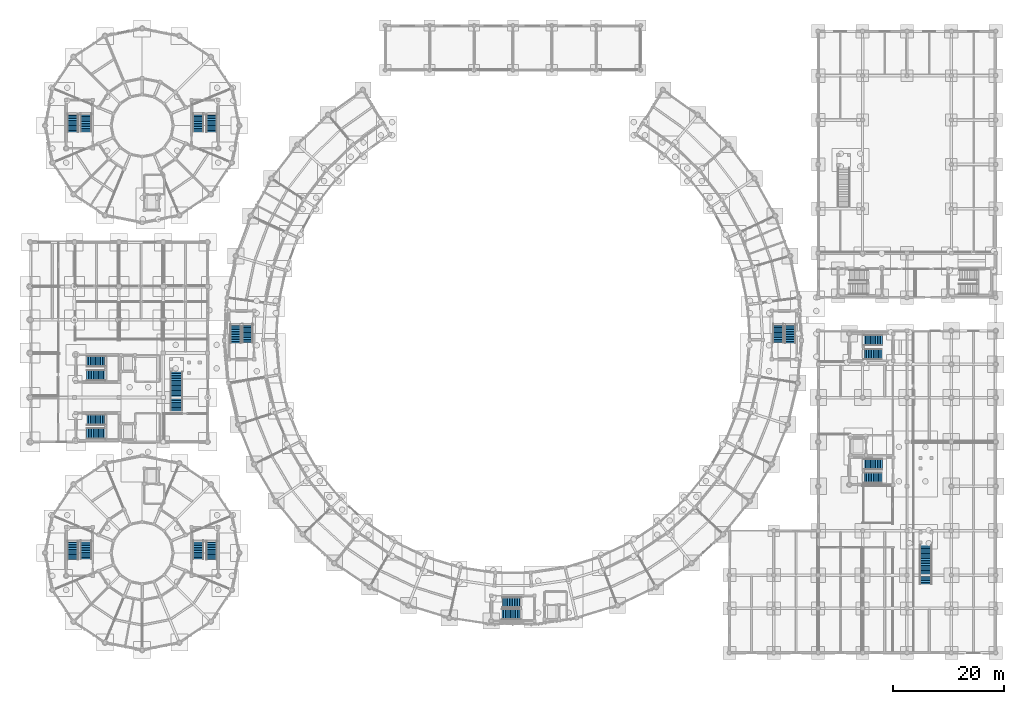
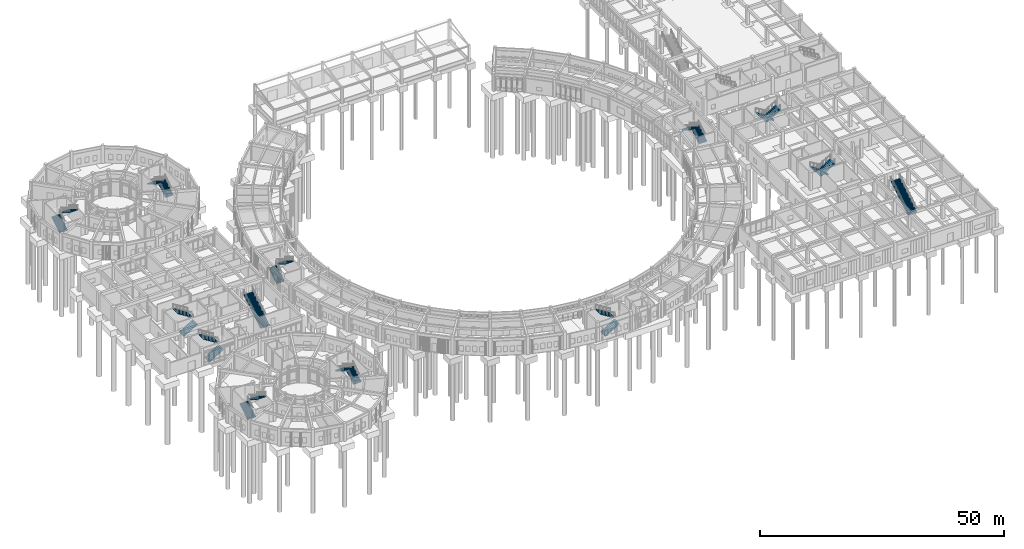
# One storey, part 137 of 153: 24 stair flights, 13 elements without a shape of their own.
"""IFC4 building model written with IfcOpenShell, lengths in metres."""

from ifc_helpers import new_model, si_unit, direction, frame, origin, place, context, subcontext, project, spatial, polyline, outline, extrude, material, type_object, element, aggregate, save


model = new_model("IFC4")

# Units and contexts
model_context = context("Model", 3, precision=1e-05, world=origin(), true_north=direction((0.0, 1.0)))
body_context = subcontext(model_context, "Body", "Model", "MODEL_VIEW")
ifc_project = project(units=[si_unit("LENGTHUNIT", "METRE"), si_unit("AREAUNIT", "SQUARE_METRE"), si_unit("VOLUMEUNIT", "CUBIC_METRE"), si_unit("PLANEANGLEUNIT", "RADIAN"), si_unit("MASSUNIT", "GRAM", prefix="KILO")], contexts=[model_context])

# Site, building, storey
site_placement = place(None, origin())
site = spatial("IfcSite", under=ifc_project, at=site_placement, CompositionType="ELEMENT")
building_placement = place(site_placement, origin())
building = spatial("IfcBuilding", under=site, at=building_placement, Name="Celadon Cloister-Ring School", CompositionType="ELEMENT")
storey_placement = place(building_placement, origin())
storey = spatial("IfcBuildingStorey", under=building, at=storey_placement, Name="L00", CompositionType="ELEMENT", Elevation=0.0)

# Stair, stair flights
ifc_material_1 = material(Name="Concrete C35/45", Category="concrete")
stair_type_1 = type_object("IfcStairType", Name="ST-01", PredefinedType="HALF_TURN_STAIR", material=ifc_material_1)
stair_1_placement = place(storey_placement, origin())
stair_1 = element("IfcStair", 1, at=stair_1_placement, inside=storey, type_object=stair_type_1, Name="Exit Stair ST-V5A L00", PredefinedType="HALF_TURN_STAIR")
ifc_material_2 = material(Name="Concrete C35/45", Category="concrete")
stair_flight_type_1 = type_object("IfcStairFlightType", Name="SFL-01", PredefinedType="STRAIGHT", material=ifc_material_2)
stair_flight_1_placement = place(storey_placement, frame((10.18994140625, 41.52001953125, 0.0), z_axis=(0.0, 0.0, 1.0), x_axis=(1.0, 0.0, 0.0)))
stair_flight_1 = element("IfcStairFlight", 2, at=stair_flight_1_placement, type_object=stair_flight_type_1, Name="ST-01 flight 1", NumberOfRisers=12, NumberOfTreads=11, PredefinedType="STRAIGHT", RiserHeight=0.1875, TreadLength=0.305, context=body_context, shape_type="SweptSolid", body=[
    extrude(outline(polyline([(0.0, 0.0), (0.0, 0.1875), (0.304931640625, 0.1875), (0.304931640625, 0.375), (0.610107421875, 0.375), (0.610107421875, 0.5625), (0.9150390625, 0.5625), (0.9150390625, 0.75), (1.219970703125, 0.75), (1.219970703125, 0.9375), (1.52490234375, 0.9375), (1.52490234375, 1.125), (1.830078125, 1.125), (1.830078125, 1.3125), (2.135009765625, 1.3125), (2.135009765625, 1.5), (2.43994140625, 1.5), (2.43994140625, 1.6875), (2.7451171875, 1.6875), (2.7451171875, 1.875), (3.050048828125, 1.875), (3.050048828125, 2.0625), (3.35498046875, 2.0625), (3.35498046875, 2.25), (3.35498046875, 1.874755859375), (0.305419921875, 0.0), (0.0, 0.0)])), frame((0.0, 0.97998046875, 0.0), z_axis=(0.0, -1.0, 0.0), x_axis=(1.0, 0.0, 0.0)), (0.0, 0.0, 1.0), 1.9599609375),
])
stair_flight_2_placement = place(storey_placement, frame((13.625, 43.97998046875, 2.25), z_axis=(0.0, 0.0, 1.0), x_axis=(-1.0, 0.0, 0.0)))
stair_flight_2 = element("IfcStairFlight", 3, at=stair_flight_2_placement, type_object=stair_flight_type_1, Name="ST-01 flight 2", NumberOfRisers=12, NumberOfTreads=11, PredefinedType="STRAIGHT", RiserHeight=0.1875, TreadLength=0.305, context=body_context, shape_type="SweptSolid", body=[
    extrude(outline(polyline([(0.0, 0.0), (0.0, 0.1875), (0.304931640625, 0.1875), (0.304931640625, 0.375), (0.610107421875, 0.375), (0.610107421875, 0.5625), (0.9150390625, 0.5625), (0.9150390625, 0.75), (1.219970703125, 0.75), (1.219970703125, 0.9375), (1.52490234375, 0.9375), (1.52490234375, 1.125), (1.830078125, 1.125), (1.830078125, 1.3125), (2.135009765625, 1.3125), (2.135009765625, 1.5), (2.43994140625, 1.5), (2.43994140625, 1.6875), (2.7451171875, 1.6875), (2.7451171875, 1.875), (3.050048828125, 1.875), (3.050048828125, 2.0625), (3.35498046875, 2.0625), (3.35498046875, 2.25), (3.35498046875, 1.874755859375), (0.305419921875, 0.0), (0.0, 0.0)])), frame((0.0, 0.97998046875, 0.0), z_axis=(0.0, -1.0, 0.0), x_axis=(1.0, 0.0, 0.0)), (0.0, 0.0, 1.0), 1.9599609375),
])
aggregate(stair_1, [stair_flight_1, stair_flight_2])

stair_2_placement = place(storey_placement, origin())
stair_2 = element("IfcStair", 4, at=stair_2_placement, inside=storey, type_object=stair_type_1, Name="Exit Stair ST-V5L1 L00", PredefinedType="HALF_TURN_STAIR")
stair_flight_3_placement = place(storey_placement, frame((7.719970703125, 18.800048828125, 0.0), z_axis=(0.0, 0.0, 1.0), x_axis=(0.0, 1.0, 0.0)))
stair_flight_3 = element("IfcStairFlight", 5, at=stair_flight_3_placement, type_object=stair_flight_type_1, Name="ST-01 flight 1", NumberOfRisers=12, NumberOfTreads=11, PredefinedType="STRAIGHT", RiserHeight=0.1875, TreadLength=0.305, context=body_context, shape_type="SweptSolid", body=[
    extrude(outline(polyline([(0.0, 0.0), (0.0, 0.1875), (0.304931640625, 0.1875), (0.304931640625, 0.375), (0.610107421875, 0.375), (0.610107421875, 0.5625), (0.9150390625, 0.5625), (0.9150390625, 0.75), (1.219970703125, 0.75), (1.219970703125, 0.9375), (1.52490234375, 0.9375), (1.52490234375, 1.125), (1.830078125, 1.125), (1.830078125, 1.3125), (2.135009765625, 1.3125), (2.135009765625, 1.5), (2.43994140625, 1.5), (2.43994140625, 1.6875), (2.7451171875, 1.6875), (2.7451171875, 1.875), (3.050048828125, 1.875), (3.050048828125, 2.0625), (3.35498046875, 2.0625), (3.35498046875, 2.25), (3.35498046875, 1.874755859375), (0.305419921875, 0.0), (0.0, 0.0)])), frame((0.0, 0.97998046875, 0.0), z_axis=(0.0, -1.0, 0.0), x_axis=(1.0, 0.0, 0.0)), (0.0, 0.0, 1.0), 1.9599609375),
])
stair_flight_4_placement = place(storey_placement, frame((10.080078125, 22.235107421875, 2.25), z_axis=(0.0, 0.0, 1.0), x_axis=(0.0, -1.0, 0.0)))
stair_flight_4 = element("IfcStairFlight", 6, at=stair_flight_4_placement, type_object=stair_flight_type_1, Name="ST-01 flight 2", NumberOfRisers=12, NumberOfTreads=11, PredefinedType="STRAIGHT", RiserHeight=0.1875, TreadLength=0.305, context=body_context, shape_type="SweptSolid", body=[
    extrude(outline(polyline([(0.0, 0.0), (0.0, 0.1875), (0.304931640625, 0.1875), (0.304931640625, 0.375), (0.610107421875, 0.375), (0.610107421875, 0.5625), (0.9150390625, 0.5625), (0.9150390625, 0.75), (1.219970703125, 0.75), (1.219970703125, 0.9375), (1.52490234375, 0.9375), (1.52490234375, 1.125), (1.830078125, 1.125), (1.830078125, 1.3125), (2.135009765625, 1.3125), (2.135009765625, 1.5), (2.43994140625, 1.5), (2.43994140625, 1.6875), (2.7451171875, 1.6875), (2.7451171875, 1.875), (3.050048828125, 1.875), (3.050048828125, 2.0625), (3.35498046875, 2.0625), (3.35498046875, 2.25), (3.35498046875, 1.874755859375), (0.305419921875, 0.0), (0.0, 0.0)])), frame((0.0, 0.97998046875, 0.0), z_axis=(0.0, -1.0, 0.0), x_axis=(1.0, 0.0, 0.0)), (0.0, 0.0, 1.0), 1.9599609375),
])
aggregate(stair_2, [stair_flight_3, stair_flight_4])

stair_3_placement = place(storey_placement, origin())
stair_3 = element("IfcStair", 7, at=stair_3_placement, inside=storey, type_object=stair_type_1, Name="Exit Stair ST-V3A L00", PredefinedType="HALF_TURN_STAIR")
stair_flight_5_placement = place(storey_placement, frame((7.719970703125, 95.800048828125, 0.0), z_axis=(0.0, 0.0, 1.0), x_axis=(0.0, 1.0, 0.0)))
stair_flight_5 = element("IfcStairFlight", 8, at=stair_flight_5_placement, type_object=stair_flight_type_1, Name="ST-01 flight 1", NumberOfRisers=12, NumberOfTreads=11, PredefinedType="STRAIGHT", RiserHeight=0.1875, TreadLength=0.305, context=body_context, shape_type="SweptSolid", body=[
    extrude(outline(polyline([(0.0, 0.0), (0.0, 0.1875), (0.304931640625, 0.1875), (0.304931640625, 0.375), (0.610107421875, 0.375), (0.610107421875, 0.5625), (0.9150390625, 0.5625), (0.9150390625, 0.75), (1.219970703125, 0.75), (1.219970703125, 0.9375), (1.52490234375, 0.9375), (1.52490234375, 1.125), (1.830078125, 1.125), (1.830078125, 1.3125), (2.135009765625, 1.3125), (2.135009765625, 1.5), (2.43994140625, 1.5), (2.43994140625, 1.6875), (2.7451171875, 1.6875), (2.7451171875, 1.875), (3.050048828125, 1.875), (3.050048828125, 2.0625), (3.35498046875, 2.0625), (3.35498046875, 2.25), (3.35498046875, 1.874755859375), (0.305419921875, 0.0), (0.0, 0.0)])), frame((0.0, 0.97998046875, 0.0), z_axis=(0.0, -1.0, 0.0), x_axis=(1.0, 0.0, 0.0)), (0.0, 0.0, 1.0), 1.9599609375),
])
stair_flight_6_placement = place(storey_placement, frame((10.080078125, 99.235107421875, 2.25), z_axis=(0.0, 0.0, 1.0), x_axis=(0.0, -1.0, 0.0)))
stair_flight_6 = element("IfcStairFlight", 9, at=stair_flight_6_placement, type_object=stair_flight_type_1, Name="ST-01 flight 2", NumberOfRisers=12, NumberOfTreads=11, PredefinedType="STRAIGHT", RiserHeight=0.1875, TreadLength=0.305, context=body_context, shape_type="SweptSolid", body=[
    extrude(outline(polyline([(0.0, 0.0), (0.0, 0.1875), (0.304931640625, 0.1875), (0.304931640625, 0.375), (0.610107421875, 0.375), (0.610107421875, 0.5625), (0.9150390625, 0.5625), (0.9150390625, 0.75), (1.219970703125, 0.75), (1.219970703125, 0.9375), (1.52490234375, 0.9375), (1.52490234375, 1.125), (1.830078125, 1.125), (1.830078125, 1.3125), (2.135009765625, 1.3125), (2.135009765625, 1.5), (2.43994140625, 1.5), (2.43994140625, 1.6875), (2.7451171875, 1.6875), (2.7451171875, 1.875), (3.050048828125, 1.875), (3.050048828125, 2.0625), (3.35498046875, 2.0625), (3.35498046875, 2.25), (3.35498046875, 1.874755859375), (0.305419921875, 0.0), (0.0, 0.0)])), frame((0.0, 0.97998046875, 0.0), z_axis=(0.0, -1.0, 0.0), x_axis=(1.0, 0.0, 0.0)), (0.0, 0.0, 1.0), 1.9599609375),
])
aggregate(stair_3, [stair_flight_5, stair_flight_6])

stair_4_placement = place(storey_placement, origin())
stair_4 = element("IfcStair", 10, at=stair_4_placement, inside=storey, type_object=stair_type_1, Name="Exit Stair ST-V4A L00", PredefinedType="HALF_TURN_STAIR")
stair_flight_7_placement = place(storey_placement, frame((153.56005859375, 35.97998046875, 0.0), z_axis=(0.0, 0.0, 1.0), x_axis=(-1.0, 0.0, 0.0)))
stair_flight_7 = element("IfcStairFlight", 11, at=stair_flight_7_placement, type_object=stair_flight_type_1, Name="ST-01 flight 1", NumberOfRisers=12, NumberOfTreads=11, PredefinedType="STRAIGHT", RiserHeight=0.1875, TreadLength=0.305, context=body_context, shape_type="SweptSolid", body=[
    extrude(outline(polyline([(0.0, 0.0), (0.0, 0.1875), (0.304931640625, 0.1875), (0.304931640625, 0.375), (0.610107421875, 0.375), (0.610107421875, 0.5625), (0.9150390625, 0.5625), (0.9150390625, 0.75), (1.219970703125, 0.75), (1.219970703125, 0.9375), (1.52490234375, 0.9375), (1.52490234375, 1.125), (1.830078125, 1.125), (1.830078125, 1.3125), (2.135009765625, 1.3125), (2.135009765625, 1.5), (2.43994140625, 1.5), (2.43994140625, 1.6875), (2.7451171875, 1.6875), (2.7451171875, 1.875), (3.050048828125, 1.875), (3.050048828125, 2.0625), (3.35498046875, 2.0625), (3.35498046875, 2.25), (3.35498046875, 1.874755859375), (0.305419921875, 0.0), (0.0, 0.0)])), frame((0.0, 0.97998046875, 0.0), z_axis=(0.0, -1.0, 0.0), x_axis=(1.0, 0.0, 0.0)), (0.0, 0.0, 1.0), 1.9599609375),
])
stair_flight_8_placement = place(storey_placement, frame((150.125, 33.52001953125, 2.25), z_axis=(0.0, 0.0, 1.0), x_axis=(1.0, 0.0, 0.0)))
stair_flight_8 = element("IfcStairFlight", 12, at=stair_flight_8_placement, type_object=stair_flight_type_1, Name="ST-01 flight 2", NumberOfRisers=12, NumberOfTreads=11, PredefinedType="STRAIGHT", RiserHeight=0.1875, TreadLength=0.305, context=body_context, shape_type="SweptSolid", body=[
    extrude(outline(polyline([(0.0, 0.0), (0.0, 0.1875), (0.304931640625, 0.1875), (0.304931640625, 0.375), (0.610107421875, 0.375), (0.610107421875, 0.5625), (0.9150390625, 0.5625), (0.9150390625, 0.75), (1.219970703125, 0.75), (1.219970703125, 0.9375), (1.52490234375, 0.9375), (1.52490234375, 1.125), (1.830078125, 1.125), (1.830078125, 1.3125), (2.135009765625, 1.3125), (2.135009765625, 1.5), (2.43994140625, 1.5), (2.43994140625, 1.6875), (2.7451171875, 1.6875), (2.7451171875, 1.875), (3.050048828125, 1.875), (3.050048828125, 2.0625), (3.35498046875, 2.0625), (3.35498046875, 2.25), (3.35498046875, 1.874755859375), (0.305419921875, 0.0), (0.0, 0.0)])), frame((0.0, 0.97998046875, 0.0), z_axis=(0.0, -1.0, 0.0), x_axis=(1.0, 0.0, 0.0)), (0.0, 0.0, 1.0), 1.9599609375),
])
aggregate(stair_4, [stair_flight_7, stair_flight_8])

ifc_material_3 = material(Name="Concrete C35/45", Category="concrete")
stair_type_2 = type_object("IfcStairType", Name="ST-03", PredefinedType="HALF_TURN_STAIR", material=ifc_material_3)
stair_5_placement = place(storey_placement, origin())
stair_5 = element("IfcStair", 13, at=stair_5_placement, inside=storey, type_object=stair_type_2, Name="Exit Stair ST-V5B L00", PredefinedType="HALF_TURN_STAIR")
ifc_material_4 = material(Name="Concrete C35/45", Category="concrete")
stair_flight_type_2 = type_object("IfcStairFlightType", Name="SFL-02", PredefinedType="STRAIGHT", material=ifc_material_4)
stair_flight_9_placement = place(storey_placement, frame((10.18994140625, 51.989990234375, 0.0), z_axis=(0.0, 0.0, 1.0), x_axis=(1.0, 0.0, 0.0)))
stair_flight_9 = element("IfcStairFlight", 14, at=stair_flight_9_placement, type_object=stair_flight_type_2, Name="ST-03 flight 1", NumberOfRisers=12, NumberOfTreads=11, PredefinedType="STRAIGHT", RiserHeight=0.1875, TreadLength=0.305, context=body_context, shape_type="SweptSolid", body=[
    extrude(outline(polyline([(0.0, 0.0), (0.0, 0.1875), (0.304931640625, 0.1875), (0.304931640625, 0.375), (0.610107421875, 0.375), (0.610107421875, 0.5625), (0.9150390625, 0.5625), (0.9150390625, 0.75), (1.219970703125, 0.75), (1.219970703125, 0.9375), (1.52490234375, 0.9375), (1.52490234375, 1.125), (1.830078125, 1.125), (1.830078125, 1.3125), (2.135009765625, 1.3125), (2.135009765625, 1.5), (2.43994140625, 1.5), (2.43994140625, 1.6875), (2.7451171875, 1.6875), (2.7451171875, 1.875), (3.050048828125, 1.875), (3.050048828125, 2.0625), (3.35498046875, 2.0625), (3.35498046875, 2.25), (3.35498046875, 1.874755859375), (0.305419921875, 0.0), (0.0, 0.0)])), frame((0.0, 0.949951171875, 0.0), z_axis=(0.0, -1.0, 0.0), x_axis=(1.0, 0.0, 0.0)), (0.0, 0.0, 1.0), 1.89990234375),
])
stair_flight_10_placement = place(storey_placement, frame((13.625, 54.510009765625, 2.25), z_axis=(0.0, 0.0, 1.0), x_axis=(-1.0, 0.0, 0.0)))
stair_flight_10 = element("IfcStairFlight", 15, at=stair_flight_10_placement, type_object=stair_flight_type_2, Name="ST-03 flight 2", NumberOfRisers=12, NumberOfTreads=11, PredefinedType="STRAIGHT", RiserHeight=0.1875, TreadLength=0.305, context=body_context, shape_type="SweptSolid", body=[
    extrude(outline(polyline([(0.0, 0.0), (0.0, 0.1875), (0.304931640625, 0.1875), (0.304931640625, 0.375), (0.610107421875, 0.375), (0.610107421875, 0.5625), (0.9150390625, 0.5625), (0.9150390625, 0.75), (1.219970703125, 0.75), (1.219970703125, 0.9375), (1.52490234375, 0.9375), (1.52490234375, 1.125), (1.830078125, 1.125), (1.830078125, 1.3125), (2.135009765625, 1.3125), (2.135009765625, 1.5), (2.43994140625, 1.5), (2.43994140625, 1.6875), (2.7451171875, 1.6875), (2.7451171875, 1.875), (3.050048828125, 1.875), (3.050048828125, 2.0625), (3.35498046875, 2.0625), (3.35498046875, 2.25), (3.35498046875, 1.874755859375), (0.305419921875, 0.0), (0.0, 0.0)])), frame((0.0, 0.949951171875, 0.0), z_axis=(0.0, -1.0, 0.0), x_axis=(1.0, 0.0, 0.0)), (0.0, 0.0, 1.0), 1.89990234375),
])
aggregate(stair_5, [stair_flight_9, stair_flight_10])

stair_6_placement = place(storey_placement, origin())
stair_6 = element("IfcStair", 16, at=stair_6_placement, inside=storey, type_object=stair_type_2, Name="Exit Stair ST-V5L2 L00", PredefinedType="HALF_TURN_STAIR")
stair_flight_11_placement = place(storey_placement, frame((32.7099609375, 18.800048828125, 0.0), z_axis=(0.0, 0.0, 1.0), x_axis=(0.0, 1.0, 0.0)))
stair_flight_11 = element("IfcStairFlight", 17, at=stair_flight_11_placement, type_object=stair_flight_type_2, Name="ST-03 flight 1", NumberOfRisers=12, NumberOfTreads=11, PredefinedType="STRAIGHT", RiserHeight=0.1875, TreadLength=0.305, context=body_context, shape_type="SweptSolid", body=[
    extrude(outline(polyline([(0.0, 0.0), (0.0, 0.1875), (0.304931640625, 0.1875), (0.304931640625, 0.375), (0.610107421875, 0.375), (0.610107421875, 0.5625), (0.9150390625, 0.5625), (0.9150390625, 0.75), (1.219970703125, 0.75), (1.219970703125, 0.9375), (1.52490234375, 0.9375), (1.52490234375, 1.125), (1.830078125, 1.125), (1.830078125, 1.3125), (2.135009765625, 1.3125), (2.135009765625, 1.5), (2.43994140625, 1.5), (2.43994140625, 1.6875), (2.7451171875, 1.6875), (2.7451171875, 1.875), (3.050048828125, 1.875), (3.050048828125, 2.0625), (3.35498046875, 2.0625), (3.35498046875, 2.25), (3.35498046875, 1.874755859375), (0.305419921875, 0.0), (0.0, 0.0)])), frame((0.0, 0.949951171875, 0.0), z_axis=(0.0, -1.0, 0.0), x_axis=(1.0, 0.0, 0.0)), (0.0, 0.0, 1.0), 1.89990234375),
])
stair_flight_12_placement = place(storey_placement, frame((30.2900390625, 22.235107421875, 2.25), z_axis=(0.0, 0.0, 1.0), x_axis=(0.0, -1.0, 0.0)))
stair_flight_12 = element("IfcStairFlight", 18, at=stair_flight_12_placement, type_object=stair_flight_type_2, Name="ST-03 flight 2", NumberOfRisers=12, NumberOfTreads=11, PredefinedType="STRAIGHT", RiserHeight=0.1875, TreadLength=0.305, context=body_context, shape_type="SweptSolid", body=[
    extrude(outline(polyline([(0.0, 0.0), (0.0, 0.1875), (0.304931640625, 0.1875), (0.304931640625, 0.375), (0.610107421875, 0.375), (0.610107421875, 0.5625), (0.9150390625, 0.5625), (0.9150390625, 0.75), (1.219970703125, 0.75), (1.219970703125, 0.9375), (1.52490234375, 0.9375), (1.52490234375, 1.125), (1.830078125, 1.125), (1.830078125, 1.3125), (2.135009765625, 1.3125), (2.135009765625, 1.5), (2.43994140625, 1.5), (2.43994140625, 1.6875), (2.7451171875, 1.6875), (2.7451171875, 1.875), (3.050048828125, 1.875), (3.050048828125, 2.0625), (3.35498046875, 2.0625), (3.35498046875, 2.25), (3.35498046875, 1.874755859375), (0.305419921875, 0.0), (0.0, 0.0)])), frame((0.0, 0.949951171875, 0.0), z_axis=(0.0, -1.0, 0.0), x_axis=(1.0, 0.0, 0.0)), (0.0, 0.0, 1.0), 1.89990234375),
])
aggregate(stair_6, [stair_flight_11, stair_flight_12])

stair_7_placement = place(storey_placement, origin())
stair_7 = element("IfcStair", 19, at=stair_7_placement, inside=storey, type_object=stair_type_2, Name="Exit Stair ST-V3B L00", PredefinedType="HALF_TURN_STAIR")
stair_flight_13_placement = place(storey_placement, frame((32.7099609375, 95.800048828125, 0.0), z_axis=(0.0, 0.0, 1.0), x_axis=(0.0, 1.0, 0.0)))
stair_flight_13 = element("IfcStairFlight", 20, at=stair_flight_13_placement, type_object=stair_flight_type_2, Name="ST-03 flight 1", NumberOfRisers=12, NumberOfTreads=11, PredefinedType="STRAIGHT", RiserHeight=0.1875, TreadLength=0.305, context=body_context, shape_type="SweptSolid", body=[
    extrude(outline(polyline([(0.0, 0.0), (0.0, 0.1875), (0.304931640625, 0.1875), (0.304931640625, 0.375), (0.610107421875, 0.375), (0.610107421875, 0.5625), (0.9150390625, 0.5625), (0.9150390625, 0.75), (1.219970703125, 0.75), (1.219970703125, 0.9375), (1.52490234375, 0.9375), (1.52490234375, 1.125), (1.830078125, 1.125), (1.830078125, 1.3125), (2.135009765625, 1.3125), (2.135009765625, 1.5), (2.43994140625, 1.5), (2.43994140625, 1.6875), (2.7451171875, 1.6875), (2.7451171875, 1.875), (3.050048828125, 1.875), (3.050048828125, 2.0625), (3.35498046875, 2.0625), (3.35498046875, 2.25), (3.35498046875, 1.874755859375), (0.305419921875, 0.0), (0.0, 0.0)])), frame((0.0, 0.949951171875, 0.0), z_axis=(0.0, -1.0, 0.0), x_axis=(1.0, 0.0, 0.0)), (0.0, 0.0, 1.0), 1.89990234375),
])
stair_flight_14_placement = place(storey_placement, frame((30.2900390625, 99.235107421875, 2.25), z_axis=(0.0, 0.0, 1.0), x_axis=(0.0, -1.0, 0.0)))
stair_flight_14 = element("IfcStairFlight", 21, at=stair_flight_14_placement, type_object=stair_flight_type_2, Name="ST-03 flight 2", NumberOfRisers=12, NumberOfTreads=11, PredefinedType="STRAIGHT", RiserHeight=0.1875, TreadLength=0.305, context=body_context, shape_type="SweptSolid", body=[
    extrude(outline(polyline([(0.0, 0.0), (0.0, 0.1875), (0.304931640625, 0.1875), (0.304931640625, 0.375), (0.610107421875, 0.375), (0.610107421875, 0.5625), (0.9150390625, 0.5625), (0.9150390625, 0.75), (1.219970703125, 0.75), (1.219970703125, 0.9375), (1.52490234375, 0.9375), (1.52490234375, 1.125), (1.830078125, 1.125), (1.830078125, 1.3125), (2.135009765625, 1.3125), (2.135009765625, 1.5), (2.43994140625, 1.5), (2.43994140625, 1.6875), (2.7451171875, 1.6875), (2.7451171875, 1.875), (3.050048828125, 1.875), (3.050048828125, 2.0625), (3.35498046875, 2.0625), (3.35498046875, 2.25), (3.35498046875, 1.874755859375), (0.305419921875, 0.0), (0.0, 0.0)])), frame((0.0, 0.949951171875, 0.0), z_axis=(0.0, -1.0, 0.0), x_axis=(1.0, 0.0, 0.0)), (0.0, 0.0, 1.0), 1.89990234375),
])
aggregate(stair_7, [stair_flight_13, stair_flight_14])

stair_8_placement = place(storey_placement, origin())
stair_8 = element("IfcStair", 22, at=stair_8_placement, inside=storey, type_object=stair_type_2, Name="Exit Stair ST-V4B L00", PredefinedType="HALF_TURN_STAIR")
stair_flight_15_placement = place(storey_placement, frame((153.56005859375, 58.31005859375, 0.0), z_axis=(0.0, 0.0, 1.0), x_axis=(-1.0, 0.0, 0.0)))
stair_flight_15 = element("IfcStairFlight", 23, at=stair_flight_15_placement, type_object=stair_flight_type_2, Name="ST-03 flight 1", NumberOfRisers=12, NumberOfTreads=11, PredefinedType="STRAIGHT", RiserHeight=0.1875, TreadLength=0.305, context=body_context, shape_type="SweptSolid", body=[
    extrude(outline(polyline([(0.0, 0.0), (0.0, 0.1875), (0.304931640625, 0.1875), (0.304931640625, 0.375), (0.610107421875, 0.375), (0.610107421875, 0.5625), (0.9150390625, 0.5625), (0.9150390625, 0.75), (1.219970703125, 0.75), (1.219970703125, 0.9375), (1.52490234375, 0.9375), (1.52490234375, 1.125), (1.830078125, 1.125), (1.830078125, 1.3125), (2.135009765625, 1.3125), (2.135009765625, 1.5), (2.43994140625, 1.5), (2.43994140625, 1.6875), (2.7451171875, 1.6875), (2.7451171875, 1.875), (3.050048828125, 1.875), (3.050048828125, 2.0625), (3.35498046875, 2.0625), (3.35498046875, 2.25), (3.35498046875, 1.874755859375), (0.305419921875, 0.0), (0.0, 0.0)])), frame((0.0, 0.949951171875, 0.0), z_axis=(0.0, -1.0, 0.0), x_axis=(1.0, 0.0, 0.0)), (0.0, 0.0, 1.0), 1.89990234375),
])
stair_flight_16_placement = place(storey_placement, frame((150.125, 55.7900390625, 2.25), z_axis=(0.0, 0.0, 1.0), x_axis=(1.0, 0.0, 0.0)))
stair_flight_16 = element("IfcStairFlight", 24, at=stair_flight_16_placement, type_object=stair_flight_type_2, Name="ST-03 flight 2", NumberOfRisers=12, NumberOfTreads=11, PredefinedType="STRAIGHT", RiserHeight=0.1875, TreadLength=0.305, context=body_context, shape_type="SweptSolid", body=[
    extrude(outline(polyline([(0.0, 0.0), (0.0, 0.1875), (0.304931640625, 0.1875), (0.304931640625, 0.375), (0.610107421875, 0.375), (0.610107421875, 0.5625), (0.9150390625, 0.5625), (0.9150390625, 0.75), (1.219970703125, 0.75), (1.219970703125, 0.9375), (1.52490234375, 0.9375), (1.52490234375, 1.125), (1.830078125, 1.125), (1.830078125, 1.3125), (2.135009765625, 1.3125), (2.135009765625, 1.5), (2.43994140625, 1.5), (2.43994140625, 1.6875), (2.7451171875, 1.6875), (2.7451171875, 1.875), (3.050048828125, 1.875), (3.050048828125, 2.0625), (3.35498046875, 2.0625), (3.35498046875, 2.25), (3.35498046875, 1.874755859375), (0.305419921875, 0.0), (0.0, 0.0)])), frame((0.0, 0.949951171875, 0.0), z_axis=(0.0, -1.0, 0.0), x_axis=(1.0, 0.0, 0.0)), (0.0, 0.0, 1.0), 1.89990234375),
])
aggregate(stair_8, [stair_flight_15, stair_flight_16])

stair_9_placement = place(storey_placement, origin())
stair_9 = element("IfcStair", 25, at=stair_9_placement, inside=storey, type_object=stair_type_2, Name="Exit Stair ST-V1S L00", PredefinedType="HALF_TURN_STAIR")
stair_flight_17_placement = place(storey_placement, frame((85.0400390625, 8.93994140625, 0.0), z_axis=(0.0, 0.0, 1.0), x_axis=(1.0, 0.0, 0.0)))
stair_flight_17 = element("IfcStairFlight", 26, at=stair_flight_17_placement, type_object=stair_flight_type_2, Name="ST-03 flight 1", NumberOfRisers=12, NumberOfTreads=11, PredefinedType="STRAIGHT", RiserHeight=0.1875, TreadLength=0.305, context=body_context, shape_type="SweptSolid", body=[
    extrude(outline(polyline([(0.0, 0.0), (0.0, 0.1875), (0.304931640625, 0.1875), (0.304931640625, 0.375), (0.610107421875, 0.375), (0.610107421875, 0.5625), (0.9150390625, 0.5625), (0.9150390625, 0.75), (1.219970703125, 0.75), (1.219970703125, 0.9375), (1.52490234375, 0.9375), (1.52490234375, 1.125), (1.830078125, 1.125), (1.830078125, 1.3125), (2.135009765625, 1.3125), (2.135009765625, 1.5), (2.43994140625, 1.5), (2.43994140625, 1.6875), (2.7451171875, 1.6875), (2.7451171875, 1.875), (3.050048828125, 1.875), (3.050048828125, 2.0625), (3.35498046875, 2.0625), (3.35498046875, 2.25), (3.35498046875, 1.874755859375), (0.305419921875, 0.0), (0.0, 0.0)])), frame((0.0, 0.949951171875, 0.0), z_axis=(0.0, -1.0, 0.0), x_axis=(1.0, 0.0, 0.0)), (0.0, 0.0, 1.0), 1.89990234375),
])
stair_flight_18_placement = place(storey_placement, frame((88.47509765625, 11.080078125, 2.25), z_axis=(0.0, 0.0, 1.0), x_axis=(-1.0, 0.0, 0.0)))
stair_flight_18 = element("IfcStairFlight", 27, at=stair_flight_18_placement, type_object=stair_flight_type_2, Name="ST-03 flight 2", NumberOfRisers=12, NumberOfTreads=11, PredefinedType="STRAIGHT", RiserHeight=0.1875, TreadLength=0.305, context=body_context, shape_type="SweptSolid", body=[
    extrude(outline(polyline([(0.0, 0.0), (0.0, 0.1875), (0.304931640625, 0.1875), (0.304931640625, 0.375), (0.610107421875, 0.375), (0.610107421875, 0.5625), (0.9150390625, 0.5625), (0.9150390625, 0.75), (1.219970703125, 0.75), (1.219970703125, 0.9375), (1.52490234375, 0.9375), (1.52490234375, 1.125), (1.830078125, 1.125), (1.830078125, 1.3125), (2.135009765625, 1.3125), (2.135009765625, 1.5), (2.43994140625, 1.5), (2.43994140625, 1.6875), (2.7451171875, 1.6875), (2.7451171875, 1.875), (3.050048828125, 1.875), (3.050048828125, 2.0625), (3.35498046875, 2.0625), (3.35498046875, 2.25), (3.35498046875, 1.874755859375), (0.305419921875, 0.0), (0.0, 0.0)])), frame((0.0, 0.949951171875, 0.0), z_axis=(0.0, -1.0, 0.0), x_axis=(1.0, 0.0, 0.0)), (0.0, 0.0, 1.0), 1.89990234375),
])
aggregate(stair_9, [stair_flight_17, stair_flight_18])

stair_10_placement = place(storey_placement, origin())
stair_10 = element("IfcStair", 28, at=stair_10_placement, inside=storey, type_object=stair_type_2, Name="Exit Stair ST-V1W L00", PredefinedType="HALF_TURN_STAIR")
stair_flight_19_placement = place(storey_placement, frame((37.0400390625, 57.800048828125, 0.0), z_axis=(0.0, 0.0, 1.0), x_axis=(0.0, 1.0, 0.0)))
stair_flight_19 = element("IfcStairFlight", 29, at=stair_flight_19_placement, type_object=stair_flight_type_2, Name="ST-03 flight 1", NumberOfRisers=12, NumberOfTreads=11, PredefinedType="STRAIGHT", RiserHeight=0.1875, TreadLength=0.305, context=body_context, shape_type="SweptSolid", body=[
    extrude(outline(polyline([(0.0, 0.0), (0.0, 0.1875), (0.304931640625, 0.1875), (0.304931640625, 0.375), (0.610107421875, 0.375), (0.610107421875, 0.5625), (0.9150390625, 0.5625), (0.9150390625, 0.75), (1.219970703125, 0.75), (1.219970703125, 0.9375), (1.52490234375, 0.9375), (1.52490234375, 1.125), (1.830078125, 1.125), (1.830078125, 1.3125), (2.135009765625, 1.3125), (2.135009765625, 1.5), (2.43994140625, 1.5), (2.43994140625, 1.6875), (2.7451171875, 1.6875), (2.7451171875, 1.875), (3.050048828125, 1.875), (3.050048828125, 2.0625), (3.35498046875, 2.0625), (3.35498046875, 2.25), (3.35498046875, 1.874755859375), (0.305419921875, 0.0), (0.0, 0.0)])), frame((0.0, 0.949951171875, 0.0), z_axis=(0.0, -1.0, 0.0), x_axis=(1.0, 0.0, 0.0)), (0.0, 0.0, 1.0), 1.89990234375),
])
stair_flight_20_placement = place(storey_placement, frame((39.179931640625, 61.235107421875, 2.25), z_axis=(0.0, 0.0, 1.0), x_axis=(0.0, -1.0, 0.0)))
stair_flight_20 = element("IfcStairFlight", 30, at=stair_flight_20_placement, type_object=stair_flight_type_2, Name="ST-03 flight 2", NumberOfRisers=12, NumberOfTreads=11, PredefinedType="STRAIGHT", RiserHeight=0.1875, TreadLength=0.305, context=body_context, shape_type="SweptSolid", body=[
    extrude(outline(polyline([(0.0, 0.0), (0.0, 0.1875), (0.304931640625, 0.1875), (0.304931640625, 0.375), (0.610107421875, 0.375), (0.610107421875, 0.5625), (0.9150390625, 0.5625), (0.9150390625, 0.75), (1.219970703125, 0.75), (1.219970703125, 0.9375), (1.52490234375, 0.9375), (1.52490234375, 1.125), (1.830078125, 1.125), (1.830078125, 1.3125), (2.135009765625, 1.3125), (2.135009765625, 1.5), (2.43994140625, 1.5), (2.43994140625, 1.6875), (2.7451171875, 1.6875), (2.7451171875, 1.875), (3.050048828125, 1.875), (3.050048828125, 2.0625), (3.35498046875, 2.0625), (3.35498046875, 2.25), (3.35498046875, 1.874755859375), (0.305419921875, 0.0), (0.0, 0.0)])), frame((0.0, 0.949951171875, 0.0), z_axis=(0.0, -1.0, 0.0), x_axis=(1.0, 0.0, 0.0)), (0.0, 0.0, 1.0), 1.89990234375),
])
aggregate(stair_10, [stair_flight_19, stair_flight_20])

stair_11_placement = place(storey_placement, origin())
stair_11 = element("IfcStair", 31, at=stair_11_placement, inside=storey, type_object=stair_type_2, Name="Exit Stair ST-V1E L00", PredefinedType="HALF_TURN_STAIR")
stair_flight_21_placement = place(storey_placement, frame((136.9599609375, 57.800048828125, 0.0), z_axis=(0.0, 0.0, 1.0), x_axis=(0.0, 1.0, 0.0)))
stair_flight_21 = element("IfcStairFlight", 32, at=stair_flight_21_placement, type_object=stair_flight_type_2, Name="ST-03 flight 1", NumberOfRisers=12, NumberOfTreads=11, PredefinedType="STRAIGHT", RiserHeight=0.1875, TreadLength=0.305, context=body_context, shape_type="SweptSolid", body=[
    extrude(outline(polyline([(0.0, 0.0), (0.0, 0.1875), (0.304931640625, 0.1875), (0.304931640625, 0.375), (0.610107421875, 0.375), (0.610107421875, 0.5625), (0.9150390625, 0.5625), (0.9150390625, 0.75), (1.219970703125, 0.75), (1.219970703125, 0.9375), (1.52490234375, 0.9375), (1.52490234375, 1.125), (1.830078125, 1.125), (1.830078125, 1.3125), (2.135009765625, 1.3125), (2.135009765625, 1.5), (2.43994140625, 1.5), (2.43994140625, 1.6875), (2.7451171875, 1.6875), (2.7451171875, 1.875), (3.050048828125, 1.875), (3.050048828125, 2.0625), (3.35498046875, 2.0625), (3.35498046875, 2.25), (3.35498046875, 1.874755859375), (0.305419921875, 0.0), (0.0, 0.0)])), frame((0.0, 0.949951171875, 0.0), z_axis=(0.0, -1.0, 0.0), x_axis=(1.0, 0.0, 0.0)), (0.0, 0.0, 1.0), 1.89990234375),
])
stair_flight_22_placement = place(storey_placement, frame((134.820068359375, 61.235107421875, 2.25), z_axis=(0.0, 0.0, 1.0), x_axis=(0.0, -1.0, 0.0)))
stair_flight_22 = element("IfcStairFlight", 33, at=stair_flight_22_placement, type_object=stair_flight_type_2, Name="ST-03 flight 2", NumberOfRisers=12, NumberOfTreads=11, PredefinedType="STRAIGHT", RiserHeight=0.1875, TreadLength=0.305, context=body_context, shape_type="SweptSolid", body=[
    extrude(outline(polyline([(0.0, 0.0), (0.0, 0.1875), (0.304931640625, 0.1875), (0.304931640625, 0.375), (0.610107421875, 0.375), (0.610107421875, 0.5625), (0.9150390625, 0.5625), (0.9150390625, 0.75), (1.219970703125, 0.75), (1.219970703125, 0.9375), (1.52490234375, 0.9375), (1.52490234375, 1.125), (1.830078125, 1.125), (1.830078125, 1.3125), (2.135009765625, 1.3125), (2.135009765625, 1.5), (2.43994140625, 1.5), (2.43994140625, 1.6875), (2.7451171875, 1.6875), (2.7451171875, 1.875), (3.050048828125, 1.875), (3.050048828125, 2.0625), (3.35498046875, 2.0625), (3.35498046875, 2.25), (3.35498046875, 1.874755859375), (0.305419921875, 0.0), (0.0, 0.0)])), frame((0.0, 0.949951171875, 0.0), z_axis=(0.0, -1.0, 0.0), x_axis=(1.0, 0.0, 0.0)), (0.0, 0.0, 1.0), 1.89990234375),
])
aggregate(stair_11, [stair_flight_21, stair_flight_22])

# Stair, stair flight
ifc_material_5 = material(Name="Concrete C35/45", Category="concrete")
stair_type_3 = type_object("IfcStairType", Name="ST-05", PredefinedType="STRAIGHT_RUN_STAIR", material=ifc_material_5)
stair_12_placement = place(storey_placement, origin())
stair_12 = element("IfcStair", 34, at=stair_12_placement, inside=storey, type_object=stair_type_3, Name="Science Concourse Grand Stair", PredefinedType="STRAIGHT_RUN_STAIR")
ifc_material_6 = material(Name="Concrete C35/45", Category="concrete")
stair_flight_type_3 = type_object("IfcStairFlightType", Name="SFL-03", PredefinedType="STRAIGHT", material=ifc_material_6)
stair_flight_23_placement = place(storey_placement, frame((26.39990234375, 45.60009765625, 0.0), z_axis=(0.0, 0.0, 1.0), x_axis=(0.0, 1.0, 0.0)))
stair_flight_23 = element("IfcStairFlight", 35, at=stair_flight_23_placement, type_object=stair_flight_type_3, Name="ST-05 flight 1", NumberOfRisers=24, NumberOfTreads=23, PredefinedType="STRAIGHT", RiserHeight=0.1875, TreadLength=0.305, context=body_context, shape_type="SweptSolid", body=[
    extrude(outline(polyline([(0.0, 0.0), (0.0, 0.1875), (0.304931640625, 0.1875), (0.304931640625, 0.375), (0.610107421875, 0.375), (0.610107421875, 0.5625), (0.9150390625, 0.5625), (0.9150390625, 0.75), (1.219970703125, 0.75), (1.219970703125, 0.9375), (1.52490234375, 0.9375), (1.52490234375, 1.125), (1.830078125, 1.125), (1.830078125, 1.3125), (2.135009765625, 1.3125), (2.135009765625, 1.5), (2.43994140625, 1.5), (2.43994140625, 1.6875), (2.7451171875, 1.6875), (2.7451171875, 1.875), (3.050048828125, 1.875), (3.050048828125, 2.0625), (3.35498046875, 2.0625), (3.35498046875, 2.25), (3.659912109375, 2.25), (3.659912109375, 2.4375), (3.965087890625, 2.4375), (3.965087890625, 2.625), (4.27001953125, 2.625), (4.27001953125, 2.8125), (4.574951171875, 2.8125), (4.574951171875, 3.0), (4.8798828125, 3.0), (4.8798828125, 3.1875), (5.18505859375, 3.1875), (5.18505859375, 3.375), (5.489990234375, 3.375), (5.489990234375, 3.5625), (5.794921875, 3.5625), (5.794921875, 3.75), (6.10009765625, 3.75), (6.10009765625, 3.9375), (6.405029296875, 3.9375), (6.405029296875, 4.125), (6.7099609375, 4.125), (6.7099609375, 4.3125), (7.014892578125, 4.3125), (7.014892578125, 4.5), (7.014892578125, 4.101318359375), (0.343505859375, 0.0), (0.0, 0.0)])), frame((0.0, 1.080078125, 0.0), z_axis=(0.0, -1.0, 0.0), x_axis=(1.0, 0.0, 0.0)), (0.0, 0.0, 1.0), 2.159912109375),
])
aggregate(stair_12, [stair_flight_23])

stair_13_placement = place(storey_placement, origin())
stair_13 = element("IfcStair", 36, at=stair_13_placement, inside=storey, type_object=stair_type_3, Name="Dining Commons Feature Stair", PredefinedType="STRAIGHT_RUN_STAIR")
stair_flight_24_placement = place(storey_placement, frame((161.39990234375, 14.39990234375, 0.0), z_axis=(0.0, 0.0, 1.0), x_axis=(0.0, 1.0, 0.0)))
stair_flight_24 = element("IfcStairFlight", 37, at=stair_flight_24_placement, type_object=stair_flight_type_3, Name="ST-05 flight 1", NumberOfRisers=24, NumberOfTreads=23, PredefinedType="STRAIGHT", RiserHeight=0.1875, TreadLength=0.305, context=body_context, shape_type="SweptSolid", body=[
    extrude(outline(polyline([(0.0, 0.0), (0.0, 0.1875), (0.304931640625, 0.1875), (0.304931640625, 0.375), (0.610107421875, 0.375), (0.610107421875, 0.5625), (0.9150390625, 0.5625), (0.9150390625, 0.75), (1.219970703125, 0.75), (1.219970703125, 0.9375), (1.52490234375, 0.9375), (1.52490234375, 1.125), (1.830078125, 1.125), (1.830078125, 1.3125), (2.135009765625, 1.3125), (2.135009765625, 1.5), (2.43994140625, 1.5), (2.43994140625, 1.6875), (2.7451171875, 1.6875), (2.7451171875, 1.875), (3.050048828125, 1.875), (3.050048828125, 2.0625), (3.35498046875, 2.0625), (3.35498046875, 2.25), (3.659912109375, 2.25), (3.659912109375, 2.4375), (3.965087890625, 2.4375), (3.965087890625, 2.625), (4.27001953125, 2.625), (4.27001953125, 2.8125), (4.574951171875, 2.8125), (4.574951171875, 3.0), (4.8798828125, 3.0), (4.8798828125, 3.1875), (5.18505859375, 3.1875), (5.18505859375, 3.375), (5.489990234375, 3.375), (5.489990234375, 3.5625), (5.794921875, 3.5625), (5.794921875, 3.75), (6.10009765625, 3.75), (6.10009765625, 3.9375), (6.405029296875, 3.9375), (6.405029296875, 4.125), (6.7099609375, 4.125), (6.7099609375, 4.3125), (7.014892578125, 4.3125), (7.014892578125, 4.5), (7.014892578125, 4.101318359375), (0.343505859375, 0.0), (0.0, 0.0)])), frame((0.0, 1.080078125, 0.0), z_axis=(0.0, -1.0, 0.0), x_axis=(1.0, 0.0, 0.0)), (0.0, 0.0, 1.0), 2.159912109375),
])
aggregate(stair_13, [stair_flight_24])

save(model, "model.ifc")
